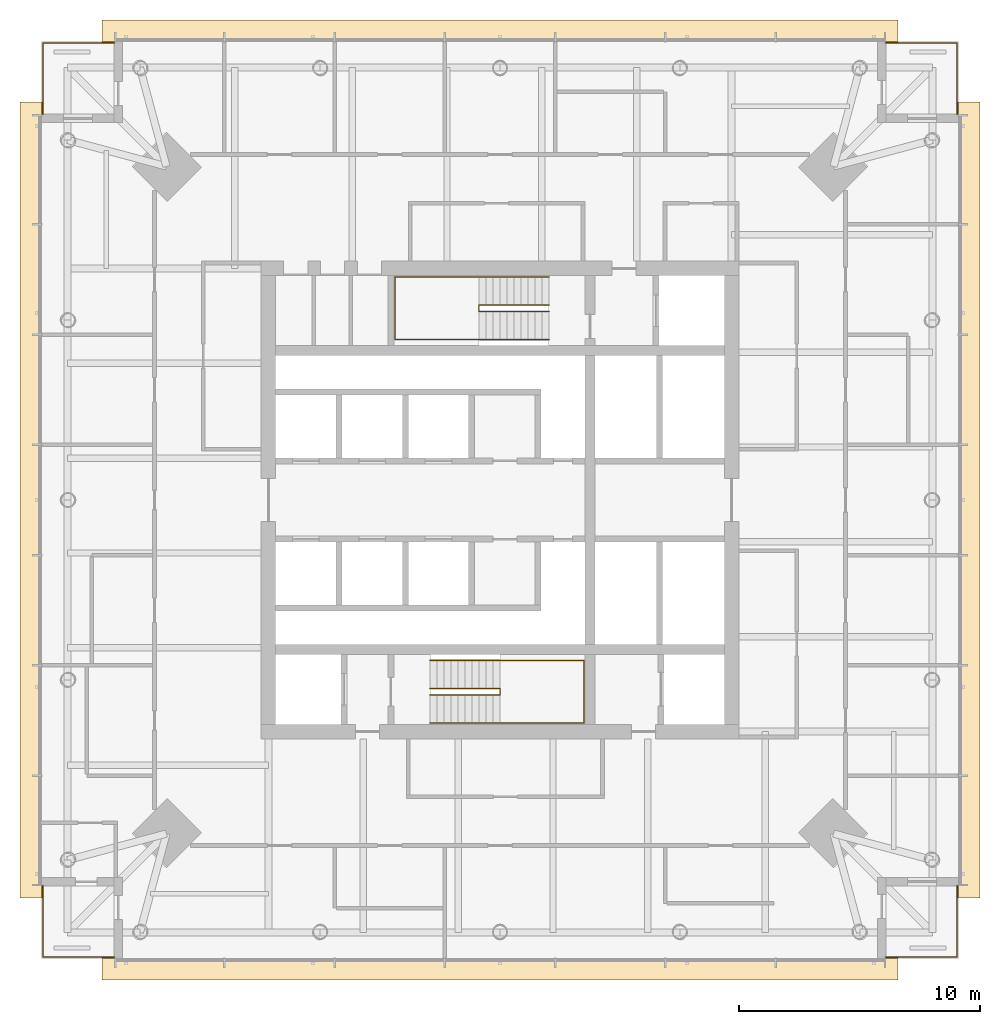
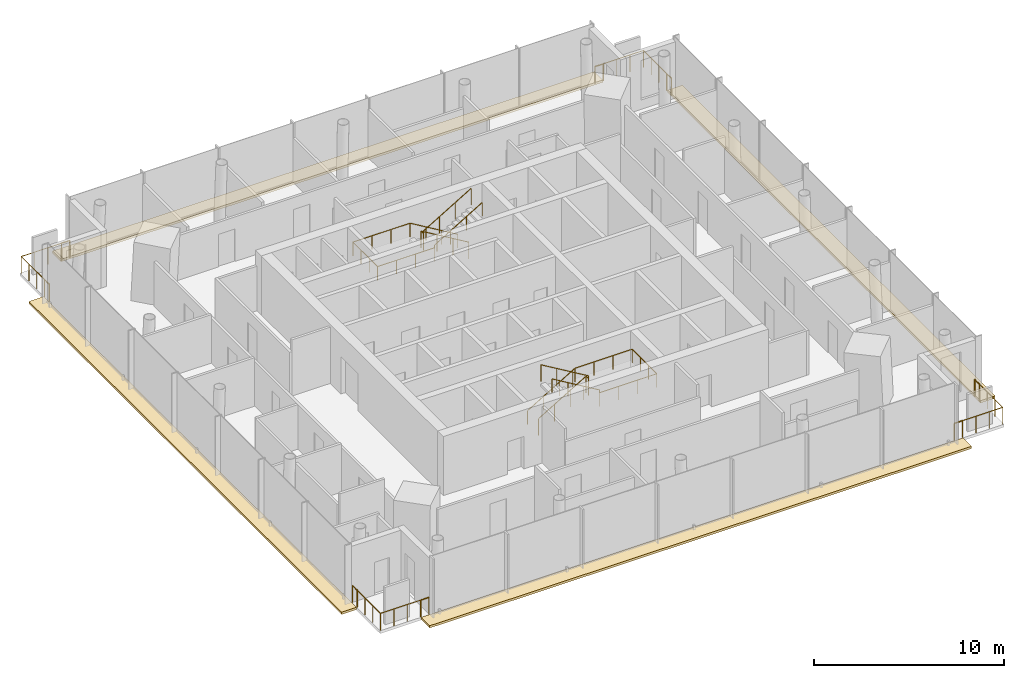
# One storey, part 11 of 11: 16 railings, 4 coverings.
"""IFC4 building model written with IfcOpenShell, lengths in metres."""

from ifc_helpers import new_model, si_unit, direction, frame, origin, origin_2d, place, context, subcontext, project, spatial, polyline, circle, outline, extrude, material, layer, layer_set, type_object, element, save


model = new_model("IFC4")

# Units and contexts
model_context = context("Model", 3, precision=1e-05, world=origin(), true_north=direction((0.0, 1.0)))
body_context = subcontext(model_context, "Body", "Model", "MODEL_VIEW")
ifc_project = project(units=[si_unit("LENGTHUNIT", "METRE"), si_unit("AREAUNIT", "SQUARE_METRE"), si_unit("VOLUMEUNIT", "CUBIC_METRE"), si_unit("PLANEANGLEUNIT", "RADIAN"), si_unit("MASSUNIT", "GRAM", prefix="KILO")], contexts=[model_context])

# Site, building, storey
site_placement = place(None, origin())
site = spatial("IfcSite", under=ifc_project, at=site_placement, CompositionType="ELEMENT")
building_placement = place(site_placement, origin())
building = spatial("IfcBuilding", under=site, at=building_placement, Name="Ostroluk Exchange", CompositionType="ELEMENT")
storey_placement = place(building_placement, frame((0.0, 0.0, 211.0)))
storey = spatial("IfcBuildingStorey", under=building, at=storey_placement, Name="L54", CompositionType="ELEMENT", Elevation=211.0)

# Railings
ifc_material_1 = material(Name="Stainless steel", Category="steel")
railing_type_1 = type_object("IfcRailingType", Name="Guard 1100 stainless steel", PredefinedType="GUARDRAIL", material=ifc_material_1)
railing_1_placement = place(storey_placement, frame((61.5, 27.050048828125, 0.0)))
element("IfcRailing", 1, at=railing_1_placement, inside=storey, type_object=railing_type_1, Name="Office tower SE balcony guard L54", PredefinedType="GUARDRAIL", context=body_context, shape_type="SweptSolid", body=[
    extrude(circle(Radius=0.02392578125, at=origin_2d()), frame((0.0, 0.0, 1.076171875), z_axis=(1.0, 0.0, 0.0), x_axis=(0.0, 1.0, 0.0)), (0.0, 0.0, 1.0), 2.449951171875),
    extrude(circle(Radius=0.02392578125, at=origin_2d()), frame((2.449951171875, 0.0, 1.076171875), z_axis=(0.0, 1.0, 0.0), x_axis=(-1.0, 0.0, 0.0)), (0.0, 0.0, 1.0), 2.449951171875),
    extrude(circle(Radius=0.02099609375, at=origin_2d()), origin(), (0.0, 0.0, 1.0), 1.052001953125),
    extrude(circle(Radius=0.02099609375, at=origin_2d()), frame((0.816650390625, 0.0, 0.0)), (0.0, 0.0, 1.0), 1.052001953125),
    extrude(circle(Radius=0.02099609375, at=origin_2d()), frame((1.63330078125, 0.0, 0.0)), (0.0, 0.0, 1.0), 1.052001953125),
    extrude(circle(Radius=0.02099609375, at=origin_2d()), frame((2.449951171875, 0.0, 0.0)), (0.0, 0.0, 1.0), 1.052001953125),
    extrude(circle(Radius=0.02099609375, at=origin_2d()), frame((2.449951171875, 0.816650390625, 0.0)), (0.0, 0.0, 1.0), 1.052001953125),
    extrude(circle(Radius=0.02099609375, at=origin_2d()), frame((2.449951171875, 1.63330078125, 0.0)), (0.0, 0.0, 1.0), 1.052001953125),
    extrude(circle(Radius=0.02099609375, at=origin_2d()), frame((2.449951171875, 2.449951171875, 0.0)), (0.0, 0.0, 1.0), 1.052001953125),
])
railing_2_placement = place(storey_placement, frame((61.5, 64.949951171875, 0.0)))
element("IfcRailing", 2, at=railing_2_placement, inside=storey, type_object=railing_type_1, Name="Office tower NE balcony guard L54", PredefinedType="GUARDRAIL", context=body_context, shape_type="SweptSolid", body=[
    extrude(circle(Radius=0.02392578125, at=origin_2d()), frame((0.0, 0.0, 1.076171875), z_axis=(1.0, 0.0, 0.0), x_axis=(0.0, 1.0, 0.0)), (0.0, 0.0, 1.0), 2.449951171875),
    extrude(circle(Radius=0.02392578125, at=origin_2d()), frame((2.449951171875, 0.0, 1.076171875), z_axis=(0.0, -1.0, 0.0), x_axis=(1.0, 0.0, 0.0)), (0.0, 0.0, 1.0), 2.449951171875),
    extrude(circle(Radius=0.02099609375, at=origin_2d()), origin(), (0.0, 0.0, 1.0), 1.052001953125),
    extrude(circle(Radius=0.02099609375, at=origin_2d()), frame((0.816650390625, 0.0, 0.0)), (0.0, 0.0, 1.0), 1.052001953125),
    extrude(circle(Radius=0.02099609375, at=origin_2d()), frame((1.63330078125, 0.0, 0.0)), (0.0, 0.0, 1.0), 1.052001953125),
    extrude(circle(Radius=0.02099609375, at=origin_2d()), frame((2.449951171875, 0.0, 0.0)), (0.0, 0.0, 1.0), 1.052001953125),
    extrude(circle(Radius=0.02099609375, at=origin_2d()), frame((2.449951171875, -0.816650390625, 0.0)), (0.0, 0.0, 1.0), 1.052001953125),
    extrude(circle(Radius=0.02099609375, at=origin_2d()), frame((2.449951171875, -1.63330078125, 0.0)), (0.0, 0.0, 1.0), 1.052001953125),
    extrude(circle(Radius=0.02099609375, at=origin_2d()), frame((2.449951171875, -2.449951171875, 0.0)), (0.0, 0.0, 1.0), 1.052001953125),
])
railing_3_placement = place(storey_placement, frame((28.5, 64.949951171875, 0.0)))
element("IfcRailing", 3, at=railing_3_placement, inside=storey, type_object=railing_type_1, Name="Office tower NW balcony guard L54", PredefinedType="GUARDRAIL", context=body_context, shape_type="SweptSolid", body=[
    extrude(circle(Radius=0.02392578125, at=origin_2d()), frame((0.0, 0.0, 1.076171875), z_axis=(-1.0, 0.0, 0.0), x_axis=(0.0, -1.0, 0.0)), (0.0, 0.0, 1.0), 2.449951171875),
    extrude(circle(Radius=0.02392578125, at=origin_2d()), frame((-2.449951171875, 0.0, 1.076171875), z_axis=(0.0, -1.0, 0.0), x_axis=(1.0, 0.0, 0.0)), (0.0, 0.0, 1.0), 2.449951171875),
    extrude(circle(Radius=0.02099609375, at=origin_2d()), origin(), (0.0, 0.0, 1.0), 1.052001953125),
    extrude(circle(Radius=0.02099609375, at=origin_2d()), frame((-0.816650390625, 0.0, 0.0)), (0.0, 0.0, 1.0), 1.052001953125),
    extrude(circle(Radius=0.02099609375, at=origin_2d()), frame((-1.63330078125, 0.0, 0.0)), (0.0, 0.0, 1.0), 1.052001953125),
    extrude(circle(Radius=0.02099609375, at=origin_2d()), frame((-2.449951171875, 0.0, 0.0)), (0.0, 0.0, 1.0), 1.052001953125),
    extrude(circle(Radius=0.02099609375, at=origin_2d()), frame((-2.449951171875, -0.816650390625, 0.0)), (0.0, 0.0, 1.0), 1.052001953125),
    extrude(circle(Radius=0.02099609375, at=origin_2d()), frame((-2.449951171875, -1.63330078125, 0.0)), (0.0, 0.0, 1.0), 1.052001953125),
    extrude(circle(Radius=0.02099609375, at=origin_2d()), frame((-2.449951171875, -2.449951171875, 0.0)), (0.0, 0.0, 1.0), 1.052001953125),
])
railing_4_placement = place(storey_placement, frame((28.5, 27.050048828125, 0.0)))
element("IfcRailing", 4, at=railing_4_placement, inside=storey, type_object=railing_type_1, Name="Office tower SW balcony guard L54", PredefinedType="GUARDRAIL", context=body_context, shape_type="SweptSolid", body=[
    extrude(circle(Radius=0.02392578125, at=origin_2d()), frame((0.0, 0.0, 1.076171875), z_axis=(-1.0, 0.0, 0.0), x_axis=(0.0, -1.0, 0.0)), (0.0, 0.0, 1.0), 2.449951171875),
    extrude(circle(Radius=0.02392578125, at=origin_2d()), frame((-2.449951171875, 0.0, 1.076171875), z_axis=(0.0, 1.0, 0.0), x_axis=(-1.0, 0.0, 0.0)), (0.0, 0.0, 1.0), 2.449951171875),
    extrude(circle(Radius=0.02099609375, at=origin_2d()), origin(), (0.0, 0.0, 1.0), 1.052001953125),
    extrude(circle(Radius=0.02099609375, at=origin_2d()), frame((-0.816650390625, 0.0, 0.0)), (0.0, 0.0, 1.0), 1.052001953125),
    extrude(circle(Radius=0.02099609375, at=origin_2d()), frame((-1.63330078125, 0.0, 0.0)), (0.0, 0.0, 1.0), 1.052001953125),
    extrude(circle(Radius=0.02099609375, at=origin_2d()), frame((-2.449951171875, 0.0, 0.0)), (0.0, 0.0, 1.0), 1.052001953125),
    extrude(circle(Radius=0.02099609375, at=origin_2d()), frame((-2.449951171875, 0.816650390625, 0.0)), (0.0, 0.0, 1.0), 1.052001953125),
    extrude(circle(Radius=0.02099609375, at=origin_2d()), frame((-2.449951171875, 1.63330078125, 0.0)), (0.0, 0.0, 1.0), 1.052001953125),
    extrude(circle(Radius=0.02099609375, at=origin_2d()), frame((-2.449951171875, 2.449951171875, 0.0)), (0.0, 0.0, 1.0), 1.052001953125),
])
ifc_material_2 = material(Name="Stainless steel", Category="steel")
railing_type_2 = type_object("IfcRailingType", Name="Lockable maintenance gate 1100", PredefinedType="GUARDRAIL", material=ifc_material_2)
railing_5_placement = place(storey_placement, frame((61.0, 27.050048828125, 0.0)))
element("IfcRailing", 5, at=railing_5_placement, inside=storey, type_object=railing_type_2, Name="Lockable maintenance gate T1 L54 SE", PredefinedType="GUARDRAIL", context=body_context, shape_type="SweptSolid", body=[
    extrude(circle(Radius=0.02392578125, at=origin_2d()), frame((0.0, 0.0, 1.076171875), z_axis=(1.0, 0.0, 0.0), x_axis=(0.0, 1.0, 0.0)), (0.0, 0.0, 1.0), 0.5),
    extrude(circle(Radius=0.02099609375, at=origin_2d()), origin(), (0.0, 0.0, 1.0), 1.052001953125),
    extrude(circle(Radius=0.02099609375, at=origin_2d()), frame((0.5, 0.0, 0.0)), (0.0, 0.0, 1.0), 1.052001953125),
])
railing_6_placement = place(storey_placement, frame((63.949951171875, 29.5, 0.0)))
element("IfcRailing", 6, at=railing_6_placement, inside=storey, type_object=railing_type_2, Name="Lockable maintenance gate T1 L54 SE", PredefinedType="GUARDRAIL", context=body_context, shape_type="SweptSolid", body=[
    extrude(circle(Radius=0.02392578125, at=origin_2d()), frame((0.0, 0.0, 1.076171875), z_axis=(0.0, 1.0, 0.0), x_axis=(-1.0, 0.0, 0.0)), (0.0, 0.0, 1.0), 0.5),
    extrude(circle(Radius=0.02099609375, at=origin_2d()), origin(), (0.0, 0.0, 1.0), 1.052001953125),
    extrude(circle(Radius=0.02099609375, at=origin_2d()), frame((0.0, 0.5, 0.0)), (0.0, 0.0, 1.0), 1.052001953125),
])
railing_7_placement = place(storey_placement, frame((61.0, 64.949951171875, 0.0)))
element("IfcRailing", 7, at=railing_7_placement, inside=storey, type_object=railing_type_2, Name="Lockable maintenance gate T1 L54 NE", PredefinedType="GUARDRAIL", context=body_context, shape_type="SweptSolid", body=[
    extrude(circle(Radius=0.02392578125, at=origin_2d()), frame((0.0, 0.0, 1.076171875), z_axis=(1.0, 0.0, 0.0), x_axis=(0.0, 1.0, 0.0)), (0.0, 0.0, 1.0), 0.5),
    extrude(circle(Radius=0.02099609375, at=origin_2d()), origin(), (0.0, 0.0, 1.0), 1.052001953125),
    extrude(circle(Radius=0.02099609375, at=origin_2d()), frame((0.5, 0.0, 0.0)), (0.0, 0.0, 1.0), 1.052001953125),
])
railing_8_placement = place(storey_placement, frame((63.949951171875, 62.5, 0.0)))
element("IfcRailing", 8, at=railing_8_placement, inside=storey, type_object=railing_type_2, Name="Lockable maintenance gate T1 L54 NE", PredefinedType="GUARDRAIL", context=body_context, shape_type="SweptSolid", body=[
    extrude(circle(Radius=0.02392578125, at=origin_2d()), frame((0.0, 0.0, 1.076171875), z_axis=(0.0, -1.0, 0.0), x_axis=(1.0, 0.0, 0.0)), (0.0, 0.0, 1.0), 0.5),
    extrude(circle(Radius=0.02099609375, at=origin_2d()), origin(), (0.0, 0.0, 1.0), 1.052001953125),
    extrude(circle(Radius=0.02099609375, at=origin_2d()), frame((0.0, -0.5, 0.0)), (0.0, 0.0, 1.0), 1.052001953125),
])
railing_9_placement = place(storey_placement, frame((29.0, 64.949951171875, 0.0)))
element("IfcRailing", 9, at=railing_9_placement, inside=storey, type_object=railing_type_2, Name="Lockable maintenance gate T1 L54 NW", PredefinedType="GUARDRAIL", context=body_context, shape_type="SweptSolid", body=[
    extrude(circle(Radius=0.02392578125, at=origin_2d()), frame((0.0, 0.0, 1.076171875), z_axis=(-1.0, 0.0, 0.0), x_axis=(0.0, -1.0, 0.0)), (0.0, 0.0, 1.0), 0.5),
    extrude(circle(Radius=0.02099609375, at=origin_2d()), origin(), (0.0, 0.0, 1.0), 1.052001953125),
    extrude(circle(Radius=0.02099609375, at=origin_2d()), frame((-0.5, 0.0, 0.0)), (0.0, 0.0, 1.0), 1.052001953125),
])
railing_10_placement = place(storey_placement, frame((26.050048828125, 62.5, 0.0)))
element("IfcRailing", 10, at=railing_10_placement, inside=storey, type_object=railing_type_2, Name="Lockable maintenance gate T1 L54 NW", PredefinedType="GUARDRAIL", context=body_context, shape_type="SweptSolid", body=[
    extrude(circle(Radius=0.02392578125, at=origin_2d()), frame((0.0, 0.0, 1.076171875), z_axis=(0.0, -1.0, 0.0), x_axis=(1.0, 0.0, 0.0)), (0.0, 0.0, 1.0), 0.5),
    extrude(circle(Radius=0.02099609375, at=origin_2d()), origin(), (0.0, 0.0, 1.0), 1.052001953125),
    extrude(circle(Radius=0.02099609375, at=origin_2d()), frame((0.0, -0.5, 0.0)), (0.0, 0.0, 1.0), 1.052001953125),
])
railing_11_placement = place(storey_placement, frame((29.0, 27.050048828125, 0.0)))
element("IfcRailing", 11, at=railing_11_placement, inside=storey, type_object=railing_type_2, Name="Lockable maintenance gate T1 L54 SW", PredefinedType="GUARDRAIL", context=body_context, shape_type="SweptSolid", body=[
    extrude(circle(Radius=0.02392578125, at=origin_2d()), frame((0.0, 0.0, 1.076171875), z_axis=(-1.0, 0.0, 0.0), x_axis=(0.0, -1.0, 0.0)), (0.0, 0.0, 1.0), 0.5),
    extrude(circle(Radius=0.02099609375, at=origin_2d()), origin(), (0.0, 0.0, 1.0), 1.052001953125),
    extrude(circle(Radius=0.02099609375, at=origin_2d()), frame((-0.5, 0.0, 0.0)), (0.0, 0.0, 1.0), 1.052001953125),
])
railing_12_placement = place(storey_placement, frame((26.050048828125, 29.5, 0.0)))
element("IfcRailing", 12, at=railing_12_placement, inside=storey, type_object=railing_type_2, Name="Lockable maintenance gate T1 L54 SW", PredefinedType="GUARDRAIL", context=body_context, shape_type="SweptSolid", body=[
    extrude(circle(Radius=0.02392578125, at=origin_2d()), frame((0.0, 0.0, 1.076171875), z_axis=(0.0, 1.0, 0.0), x_axis=(-1.0, 0.0, 0.0)), (0.0, 0.0, 1.0), 0.5),
    extrude(circle(Radius=0.02099609375, at=origin_2d()), origin(), (0.0, 0.0, 1.0), 1.052001953125),
    extrude(circle(Radius=0.02099609375, at=origin_2d()), frame((0.0, 0.5, 0.0)), (0.0, 0.0, 1.0), 1.052001953125),
])

# Coverings
ifc_material_3 = material(Name="Insulated steel roof deck with membrane, laid to falls, aluminium coping", Category="steel")
ifc_layer = layer(ifc_material_3, 0.14990234375)
ifc_layer_set = layer_set([ifc_layer], Name="Setback maintenance roof")
covering_type = type_object("IfcCoveringType", Name="Setback maintenance roof", PredefinedType="ROOFING", material=ifc_layer_set)
covering_1_placement = place(storey_placement, frame((0.0, 0.0, -0.14990234375)))
element("IfcCovering", 13, at=covering_1_placement, inside=storey, type_object=covering_type, Name="Maintenance roof, setback L54 south", PredefinedType="ROOFING", context=body_context, shape_type="SweptSolid", body=[
    extrude(outline(polyline([(28.5, 27.0), (61.5, 27.0), (61.5, 26.10009765625), (28.5, 26.10009765625), (28.5, 27.0)])), origin(), (0.0, 0.0, 1.0), 0.14990234375),
])
covering_2_placement = place(storey_placement, frame((0.0, 0.0, -0.14990234375)))
element("IfcCovering", 14, at=covering_2_placement, inside=storey, type_object=covering_type, Name="Maintenance roof, setback L54 east", PredefinedType="ROOFING", context=body_context, shape_type="SweptSolid", body=[
    extrude(outline(polyline([(64.0, 62.5), (64.89990234375, 62.5), (64.89990234375, 29.5), (64.0, 29.5), (64.0, 62.5)])), origin(), (0.0, 0.0, 1.0), 0.14990234375),
])
covering_3_placement = place(storey_placement, frame((0.0, 0.0, -0.14990234375)))
element("IfcCovering", 15, at=covering_3_placement, inside=storey, type_object=covering_type, Name="Maintenance roof, setback L54 north", PredefinedType="ROOFING", context=body_context, shape_type="SweptSolid", body=[
    extrude(outline(polyline([(28.5, 65.89990234375), (61.5, 65.89990234375), (61.5, 65.0), (28.5, 65.0), (28.5, 65.89990234375)])), origin(), (0.0, 0.0, 1.0), 0.14990234375),
])
covering_4_placement = place(storey_placement, frame((0.0, 0.0, -0.14990234375)))
element("IfcCovering", 16, at=covering_4_placement, inside=storey, type_object=covering_type, Name="Maintenance roof, setback L54 west", PredefinedType="ROOFING", context=body_context, shape_type="SweptSolid", body=[
    extrude(outline(polyline([(25.10009765625, 62.5), (26.0, 62.5), (26.0, 29.5), (25.10009765625, 29.5), (25.10009765625, 62.5)])), origin(), (0.0, 0.0, 1.0), 0.14990234375),
])

# Railings
ifc_material_4 = material(Name="Steel S355", Category="steel")
railing_type_3 = type_object("IfcRailingType", Name="Stair guard 1100", PredefinedType="GUARDRAIL", material=ifc_material_4)
railing_13_placement = place(storey_placement, frame((42.10009765625, 38.179931640625, 0.172607421875)))
element("IfcRailing", 17, at=railing_13_placement, inside=storey, type_object=railing_type_3, Name="Stair T1-S1 guard L54", PredefinedType="GUARDRAIL", context=body_context, shape_type="SweptSolid", body=[
    extrude(circle(Radius=0.02392578125, at=origin_2d()), frame((0.0, 0.0, 1.076171875), z_axis=(0.859141464434, 0.0, 0.511738159696), x_axis=(0.0, 1.0, 0.0)), (0.0, 0.0, 1.0), 3.375244140625),
    extrude(circle(Radius=0.02392578125, at=origin_2d()), frame((2.89990234375, 0.0, 2.80322265625), z_axis=(0.0, -1.0, 0.0), x_axis=(1.0, 0.0, 0.0)), (0.0, 0.0, 1.0), 0.260009765625),
    extrude(circle(Radius=0.02392578125, at=origin_2d()), frame((2.89990234375, -0.260009765625, 2.80322265625), z_axis=(0.0, 0.0, 1.0), x_axis=(1.0, 0.0, 0.0)), (0.0, 0.0, 1.0), 0.1728515625),
    extrude(circle(Radius=0.02392578125, at=origin_2d()), frame((2.89990234375, -0.260009765625, 2.97607421875), z_axis=(-0.859141464434, 0.0, 0.511738159696), x_axis=(0.0, -1.0, 0.0)), (0.0, 0.0, 1.0), 3.375244140625),
    extrude(circle(Radius=0.02099609375, at=origin_2d()), origin(), (0.0, 0.0, 1.0), 1.052001953125),
    extrude(circle(Radius=0.02099609375, at=origin_2d()), frame((0.966552734375, 0.0, 0.57568359375)), (0.0, 0.0, 1.0), 1.052001953125),
    extrude(circle(Radius=0.02099609375, at=origin_2d()), frame((1.933349609375, 0.0, 1.151611328125)), (0.0, 0.0, 1.0), 1.052001953125),
    extrude(circle(Radius=0.02099609375, at=origin_2d()), frame((2.89990234375, 0.0, 1.727294921875)), (0.0, 0.0, 1.0), 1.052001953125),
    extrude(circle(Radius=0.02099609375, at=origin_2d()), frame((2.89990234375, -0.260009765625, 1.727294921875)), (0.0, 0.0, 1.0), 1.052001953125),
    extrude(circle(Radius=0.02099609375, at=origin_2d()), frame((2.89990234375, -0.260009765625, 1.900146484375)), (0.0, 0.0, 1.0), 1.052001953125),
    extrude(circle(Radius=0.02099609375, at=origin_2d()), frame((1.933349609375, -0.260009765625, 2.475830078125)), (0.0, 0.0, 1.0), 1.052001953125),
    extrude(circle(Radius=0.02099609375, at=origin_2d()), frame((0.966552734375, -0.260009765625, 3.0517578125)), (0.0, 0.0, 1.0), 1.052001953125),
    extrude(circle(Radius=0.02099609375, at=origin_2d()), frame((0.0, -0.260009765625, 3.62744140625)), (0.0, 0.0, 1.0), 1.052001953125),
])
railing_14_placement = place(storey_placement, frame((47.030029296875, 54.080078125, 0.172607421875)))
element("IfcRailing", 18, at=railing_14_placement, inside=storey, type_object=railing_type_3, Name="Stair T1-S2 guard L54", PredefinedType="GUARDRAIL", context=body_context, shape_type="SweptSolid", body=[
    extrude(circle(Radius=0.02392578125, at=origin_2d()), frame((0.0, 0.0, 1.076171875), z_axis=(-0.859160404282, 0.0, 0.51170636083), x_axis=(0.0, -1.0, 0.0)), (0.0, 0.0, 1.0), 3.37548828125),
    extrude(circle(Radius=0.02392578125, at=origin_2d()), frame((-2.900146484375, 0.0, 2.80322265625), z_axis=(0.0, -1.0, 0.0), x_axis=(1.0, 0.0, 0.0)), (0.0, 0.0, 1.0), 0.260009765625),
    extrude(circle(Radius=0.02392578125, at=origin_2d()), frame((-2.900146484375, -0.260009765625, 2.80322265625), z_axis=(0.0, 0.0, 1.0), x_axis=(1.0, 0.0, 0.0)), (0.0, 0.0, 1.0), 0.1728515625),
    extrude(circle(Radius=0.02392578125, at=origin_2d()), frame((-2.900146484375, -0.260009765625, 2.97607421875), z_axis=(0.859160404282, 0.0, 0.51170636083), x_axis=(0.0, 1.0, 0.0)), (0.0, 0.0, 1.0), 3.37548828125),
    extrude(circle(Radius=0.02099609375, at=origin_2d()), origin(), (0.0, 0.0, 1.0), 1.052001953125),
    extrude(circle(Radius=0.02099609375, at=origin_2d()), frame((-0.966796875, 0.0, 0.57568359375)), (0.0, 0.0, 1.0), 1.052001953125),
    extrude(circle(Radius=0.02099609375, at=origin_2d()), frame((-1.933349609375, 0.0, 1.151611328125)), (0.0, 0.0, 1.0), 1.052001953125),
    extrude(circle(Radius=0.02099609375, at=origin_2d()), frame((-2.900146484375, 0.0, 1.727294921875)), (0.0, 0.0, 1.0), 1.052001953125),
    extrude(circle(Radius=0.02099609375, at=origin_2d()), frame((-2.900146484375, -0.260009765625, 1.727294921875)), (0.0, 0.0, 1.0), 1.052001953125),
    extrude(circle(Radius=0.02099609375, at=origin_2d()), frame((-2.900146484375, -0.260009765625, 1.900146484375)), (0.0, 0.0, 1.0), 1.052001953125),
    extrude(circle(Radius=0.02099609375, at=origin_2d()), frame((-1.933349609375, -0.260009765625, 2.475830078125)), (0.0, 0.0, 1.0), 1.052001953125),
    extrude(circle(Radius=0.02099609375, at=origin_2d()), frame((-0.966796875, -0.260009765625, 3.0517578125)), (0.0, 0.0, 1.0), 1.052001953125),
    extrude(circle(Radius=0.02099609375, at=origin_2d()), frame((0.0, -0.260009765625, 3.62744140625)), (0.0, 0.0, 1.0), 1.052001953125),
])
ifc_material_5 = material(Name="Stainless steel", Category="steel")
railing_type_4 = type_object("IfcRailingType", Name="Stair handrail 900", PredefinedType="HANDRAIL", material=ifc_material_5)
railing_15_placement = place(storey_placement, frame((42.10009765625, 39.35009765625, 0.172607421875)))
element("IfcRailing", 19, at=railing_15_placement, inside=storey, type_object=railing_type_4, Name="Stair T1-S1 handrail L54", PredefinedType="HANDRAIL", context=body_context, shape_type="SweptSolid", body=[
    extrude(circle(Radius=0.02392578125, at=origin_2d()), frame((0.0, 0.0, 0.8759765625), z_axis=(0.859141464434, 0.0, 0.511738159696), x_axis=(0.0, 1.0, 0.0)), (0.0, 0.0, 1.0), 3.375244140625),
    extrude(circle(Radius=0.02392578125, at=origin_2d()), frame((2.89990234375, 0.0, 2.60302734375), z_axis=(1.0, 0.0, 0.0), x_axis=(0.0, 1.0, 0.0)), (0.0, 0.0, 1.0), 3.47998046875),
    extrude(circle(Radius=0.02392578125, at=origin_2d()), frame((6.3798828125, 0.0, 2.60302734375), z_axis=(0.0, -1.0, 0.0), x_axis=(1.0, 0.0, 0.0)), (0.0, 0.0, 1.0), 2.60009765625),
    extrude(circle(Radius=0.02392578125, at=origin_2d()), frame((6.3798828125, -2.60009765625, 2.60302734375), z_axis=(-1.0, 0.0, 0.0), x_axis=(0.0, -1.0, 0.0)), (0.0, 0.0, 1.0), 3.47998046875),
    extrude(circle(Radius=0.02392578125, at=origin_2d()), frame((2.89990234375, -2.60009765625, 2.60302734375), z_axis=(0.0, 0.0, 1.0), x_axis=(1.0, 0.0, 0.0)), (0.0, 0.0, 1.0), 0.1728515625),
    extrude(circle(Radius=0.02392578125, at=origin_2d()), frame((2.89990234375, -2.60009765625, 2.77587890625), z_axis=(-0.859141464434, 0.0, 0.511738159696), x_axis=(0.0, -1.0, 0.0)), (0.0, 0.0, 1.0), 3.375244140625),
    extrude(circle(Radius=0.02099609375, at=origin_2d()), origin(), (0.0, 0.0, 1.0), 0.851806640625),
    extrude(circle(Radius=0.02099609375, at=origin_2d()), frame((0.966552734375, 0.0, 0.57568359375)), (0.0, 0.0, 1.0), 0.851806640625),
    extrude(circle(Radius=0.02099609375, at=origin_2d()), frame((1.933349609375, 0.0, 1.151611328125)), (0.0, 0.0, 1.0), 0.851806640625),
    extrude(circle(Radius=0.02099609375, at=origin_2d()), frame((2.89990234375, 0.0, 1.727294921875)), (0.0, 0.0, 1.0), 0.851806640625),
    extrude(circle(Radius=0.02099609375, at=origin_2d()), frame((4.059814453125, 0.0, 1.727294921875)), (0.0, 0.0, 1.0), 0.851806640625),
    extrude(circle(Radius=0.02099609375, at=origin_2d()), frame((5.219970703125, 0.0, 1.727294921875)), (0.0, 0.0, 1.0), 0.851806640625),
    extrude(circle(Radius=0.02099609375, at=origin_2d()), frame((6.3798828125, 0.0, 1.727294921875)), (0.0, 0.0, 1.0), 0.851806640625),
    extrude(circle(Radius=0.02099609375, at=origin_2d()), frame((6.3798828125, -0.86669921875, 1.727294921875)), (0.0, 0.0, 1.0), 0.851806640625),
    extrude(circle(Radius=0.02099609375, at=origin_2d()), frame((6.3798828125, -1.7333984375, 1.727294921875)), (0.0, 0.0, 1.0), 0.851806640625),
    extrude(circle(Radius=0.02099609375, at=origin_2d()), frame((6.3798828125, -2.60009765625, 1.727294921875)), (0.0, 0.0, 1.0), 0.851806640625),
    extrude(circle(Radius=0.02099609375, at=origin_2d()), frame((5.219970703125, -2.60009765625, 1.727294921875)), (0.0, 0.0, 1.0), 0.851806640625),
    extrude(circle(Radius=0.02099609375, at=origin_2d()), frame((4.059814453125, -2.60009765625, 1.727294921875)), (0.0, 0.0, 1.0), 0.851806640625),
    extrude(circle(Radius=0.02099609375, at=origin_2d()), frame((2.89990234375, -2.60009765625, 1.727294921875)), (0.0, 0.0, 1.0), 0.851806640625),
    extrude(circle(Radius=0.02099609375, at=origin_2d()), frame((2.89990234375, -2.60009765625, 1.900146484375)), (0.0, 0.0, 1.0), 0.851806640625),
    extrude(circle(Radius=0.02099609375, at=origin_2d()), frame((1.933349609375, -2.60009765625, 2.475830078125)), (0.0, 0.0, 1.0), 0.851806640625),
    extrude(circle(Radius=0.02099609375, at=origin_2d()), frame((0.966552734375, -2.60009765625, 3.0517578125)), (0.0, 0.0, 1.0), 0.851806640625),
    extrude(circle(Radius=0.02099609375, at=origin_2d()), frame((0.0, -2.60009765625, 3.62744140625)), (0.0, 0.0, 1.0), 0.851806640625),
])
railing_16_placement = place(storey_placement, frame((47.030029296875, 55.25, 0.172607421875)))
element("IfcRailing", 20, at=railing_16_placement, inside=storey, type_object=railing_type_4, Name="Stair T1-S2 handrail L54", PredefinedType="HANDRAIL", context=body_context, shape_type="SweptSolid", body=[
    extrude(circle(Radius=0.02392578125, at=origin_2d()), frame((0.0, 0.0, 0.8759765625), z_axis=(-0.859160404282, 0.0, 0.51170636083), x_axis=(0.0, -1.0, 0.0)), (0.0, 0.0, 1.0), 3.37548828125),
    extrude(circle(Radius=0.02392578125, at=origin_2d()), frame((-2.900146484375, 0.0, 2.60302734375), z_axis=(-1.0, 0.0, 0.0), x_axis=(0.0, -1.0, 0.0)), (0.0, 0.0, 1.0), 3.47998046875),
    extrude(circle(Radius=0.02392578125, at=origin_2d()), frame((-6.380126953125, 0.0, 2.60302734375), z_axis=(0.0, -1.0, 0.0), x_axis=(1.0, 0.0, 0.0)), (0.0, 0.0, 1.0), 2.60009765625),
    extrude(circle(Radius=0.02392578125, at=origin_2d()), frame((-6.380126953125, -2.60009765625, 2.60302734375), z_axis=(1.0, 0.0, 0.0), x_axis=(0.0, 1.0, 0.0)), (0.0, 0.0, 1.0), 3.47998046875),
    extrude(circle(Radius=0.02392578125, at=origin_2d()), frame((-2.900146484375, -2.60009765625, 2.60302734375), z_axis=(0.0, 0.0, 1.0), x_axis=(1.0, 0.0, 0.0)), (0.0, 0.0, 1.0), 0.1728515625),
    extrude(circle(Radius=0.02392578125, at=origin_2d()), frame((-2.900146484375, -2.60009765625, 2.77587890625), z_axis=(0.859160404282, 0.0, 0.51170636083), x_axis=(0.0, 1.0, 0.0)), (0.0, 0.0, 1.0), 3.37548828125),
    extrude(circle(Radius=0.02099609375, at=origin_2d()), origin(), (0.0, 0.0, 1.0), 0.851806640625),
    extrude(circle(Radius=0.02099609375, at=origin_2d()), frame((-0.966796875, 0.0, 0.57568359375)), (0.0, 0.0, 1.0), 0.851806640625),
    extrude(circle(Radius=0.02099609375, at=origin_2d()), frame((-1.933349609375, 0.0, 1.151611328125)), (0.0, 0.0, 1.0), 0.851806640625),
    extrude(circle(Radius=0.02099609375, at=origin_2d()), frame((-2.900146484375, 0.0, 1.727294921875)), (0.0, 0.0, 1.0), 0.851806640625),
    extrude(circle(Radius=0.02099609375, at=origin_2d()), frame((-4.06005859375, 0.0, 1.727294921875)), (0.0, 0.0, 1.0), 0.851806640625),
    extrude(circle(Radius=0.02099609375, at=origin_2d()), frame((-5.22021484375, 0.0, 1.727294921875)), (0.0, 0.0, 1.0), 0.851806640625),
    extrude(circle(Radius=0.02099609375, at=origin_2d()), frame((-6.380126953125, 0.0, 1.727294921875)), (0.0, 0.0, 1.0), 0.851806640625),
    extrude(circle(Radius=0.02099609375, at=origin_2d()), frame((-6.380126953125, -0.86669921875, 1.727294921875)), (0.0, 0.0, 1.0), 0.851806640625),
    extrude(circle(Radius=0.02099609375, at=origin_2d()), frame((-6.380126953125, -1.7333984375, 1.727294921875)), (0.0, 0.0, 1.0), 0.851806640625),
    extrude(circle(Radius=0.02099609375, at=origin_2d()), frame((-6.380126953125, -2.60009765625, 1.727294921875)), (0.0, 0.0, 1.0), 0.851806640625),
    extrude(circle(Radius=0.02099609375, at=origin_2d()), frame((-5.22021484375, -2.60009765625, 1.727294921875)), (0.0, 0.0, 1.0), 0.851806640625),
    extrude(circle(Radius=0.02099609375, at=origin_2d()), frame((-4.06005859375, -2.60009765625, 1.727294921875)), (0.0, 0.0, 1.0), 0.851806640625),
    extrude(circle(Radius=0.02099609375, at=origin_2d()), frame((-2.900146484375, -2.60009765625, 1.727294921875)), (0.0, 0.0, 1.0), 0.851806640625),
    extrude(circle(Radius=0.02099609375, at=origin_2d()), frame((-2.900146484375, -2.60009765625, 1.900146484375)), (0.0, 0.0, 1.0), 0.851806640625),
    extrude(circle(Radius=0.02099609375, at=origin_2d()), frame((-1.933349609375, -2.60009765625, 2.475830078125)), (0.0, 0.0, 1.0), 0.851806640625),
    extrude(circle(Radius=0.02099609375, at=origin_2d()), frame((-0.966796875, -2.60009765625, 3.0517578125)), (0.0, 0.0, 1.0), 0.851806640625),
    extrude(circle(Radius=0.02099609375, at=origin_2d()), frame((0.0, -2.60009765625, 3.62744140625)), (0.0, 0.0, 1.0), 0.851806640625),
])

save(model, "model.ifc")
